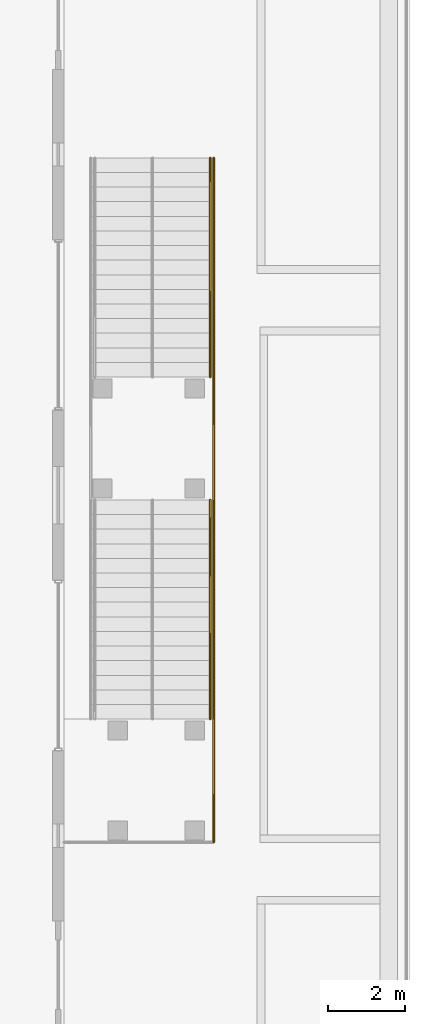
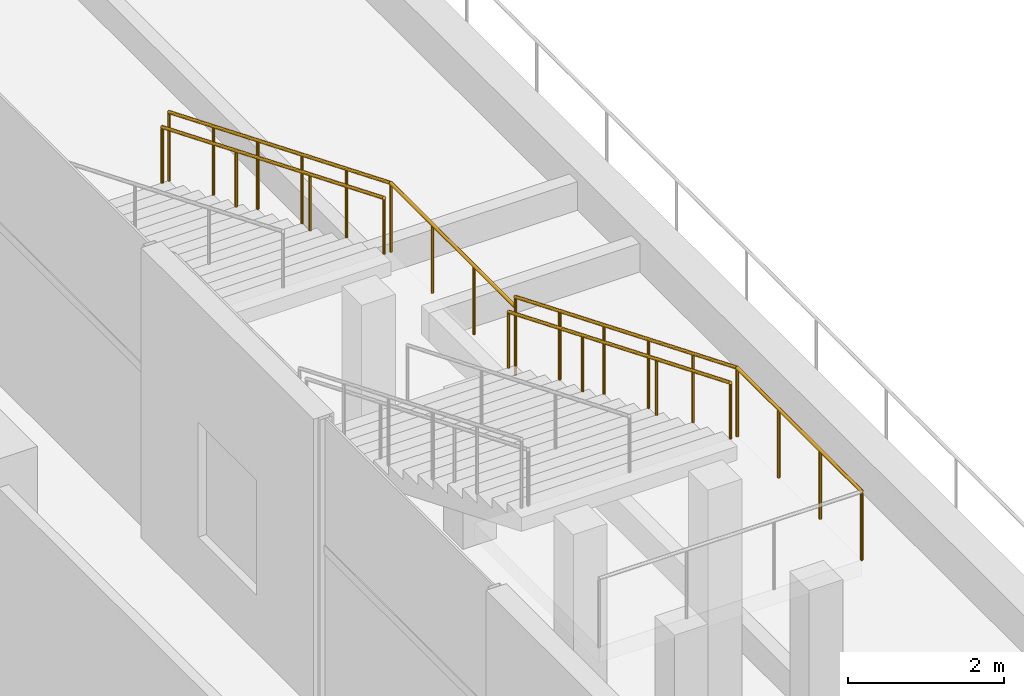
# One storey, part 49 of 49: 6 railings.
"""IFC4 building model written with IfcOpenShell, lengths in metres."""

import ifcopenshell
import ifcopenshell.guid

model = None  # the IFC model being written
_history = None  # IfcOwnerHistory: only IFC2X3 demands one
_inside = {}  # id of a spatial element -> (the spatial element, [elements in it])
_under = {}  # id of a project, library or spatial element -> (it, [spatial elements below it])
_declared = {}  # id of a project -> (the project, [libraries it declares])
_typed = {}  # id of a type object -> (the type object, [elements of that type])
_made_of = {}  # id of a material, layer set ... -> (it, [elements and type objects made of it])


def new_model(schema):
    """Start an empty IFC model of exactly this schema.

    Asked for "IFC4X3", IfcOpenShell would pick the latest addendum, in which some entities
    have other attributes; the version numbers below select the first issue.
    IFC2X3 requires an IfcOwnerHistory on every rooted entity: one is made here for all.
    """
    global model, _history
    if schema == "IFC4X3":
        model = ifcopenshell.file(schema_version=(4, 3, 0, 0))
    else:
        model = ifcopenshell.file(schema=schema)
    _inside.clear()
    _under.clear()
    _declared.clear()
    _typed.clear()
    _made_of.clear()
    _history = None
    if model.schema == "IFC2X3":
        org = make("IfcOrganization", Name="unknown")
        user = make(
            "IfcPersonAndOrganization",
            ThePerson=make("IfcPerson", FamilyName="unknown"),
            TheOrganization=org,
        )
        app = make(
            "IfcApplication",
            ApplicationDeveloper=org,
            Version="unknown",
            ApplicationFullName="unknown",
            ApplicationIdentifier="unknown",
        )
        _history = make(
            "IfcOwnerHistory",
            OwningUser=user,
            OwningApplication=app,
            ChangeAction="ADDED",
            CreationDate=0,
        )
    return model


def make(cls, **values):
    """One entity of the class cls with the attributes given. An attribute that is None is left unset."""
    return model.create_entity(
        cls, **{name: value for name, value in values.items() if value is not None}
    )


def rooted(cls, **values):
    """An entity with a GlobalId (a new one), such as an element, a storey or a relation."""
    return make(cls, GlobalId=ifcopenshell.guid.new(), OwnerHistory=_history, **values)


def si_unit(unit_type, name, prefix=None):
    """IfcSIUnit, for example si_unit("LENGTHUNIT", "METRE", prefix="MILLI")."""
    return make("IfcSIUnit", UnitType=unit_type, Prefix=prefix, Name=name)


def assignment(units):
    """IfcUnitAssignment: the units of a project."""
    return None if units is None else make("IfcUnitAssignment", Units=units)


def point(xyz):
    """IfcCartesianPoint."""
    return None if xyz is None else make("IfcCartesianPoint", Coordinates=xyz)


def direction(xyz):
    """IfcDirection."""
    return None if xyz is None else make("IfcDirection", DirectionRatios=xyz)


def frame(location, z_axis=None, x_axis=None):
    """IfcAxis2Placement3D, a coordinate frame: its origin and axes. An axis left out is left unset."""
    return make(
        "IfcAxis2Placement3D",
        Location=point(location),
        Axis=direction(z_axis),
        RefDirection=direction(x_axis),
    )


def frame_2d(location, x_axis=None):
    """IfcAxis2Placement2D, a coordinate frame in the plane: its origin and x axis."""
    return make(
        "IfcAxis2Placement2D", Location=point(location), RefDirection=direction(x_axis)
    )


def origin():
    """The frame at (0, 0, 0) with its axes left unset."""
    return frame((0.0, 0.0, 0.0))


def origin_2d():
    """The frame at (0, 0) in the plane with its x axis left unset."""
    return frame_2d((0.0, 0.0))


def place(relative_to, where):
    """IfcLocalPlacement: puts the frame where relative to a parent placement (None: the world)."""
    return make(
        "IfcLocalPlacement", PlacementRelTo=relative_to, RelativePlacement=where
    )


def context(
    kind, dimensions, precision=None, world=None, true_north=None, identifier=None
):
    """IfcGeometricRepresentationContext, for example the 3D "Model" context."""
    return make(
        "IfcGeometricRepresentationContext",
        ContextIdentifier=identifier,
        ContextType=kind,
        CoordinateSpaceDimension=dimensions,
        Precision=precision,
        WorldCoordinateSystem=world,
        TrueNorth=true_north,
    )


def subcontext(parent, identifier, kind, view, scale=None):
    """IfcGeometricRepresentationSubContext, for example "Body" below "Model"."""
    return make(
        "IfcGeometricRepresentationSubContext",
        ContextIdentifier=identifier,
        ContextType=kind,
        ParentContext=parent,
        TargetScale=scale,
        TargetView=view,
    )


def project(units=None, contexts=None):
    """IfcProject with its units and contexts."""
    return rooted(
        "IfcProject",
        Name="project",
        RepresentationContexts=contexts,
        UnitsInContext=assignment(units),
    )


def spatial(cls, under=None, at=None, **own):
    """A site, building, storey or space (cls), placed at a placement, below another one or the project."""
    s = rooted(cls, ObjectPlacement=at, **own)
    if under is not None:
        _under.setdefault(under.id(), (under, []))[1].append(s)
    return s


def profile(cls, at=None, kind="AREA", **sizes):
    """A parametric profile (cls). Its sizes go by their IFC names, for example OverallWidth=200.0."""
    return make(cls, ProfileType=kind, Position=at, **sizes)


def circle(**sizes):
    """IfcCircleProfileDef."""
    return profile("IfcCircleProfileDef", **sizes)


def extrude(swept, where, along, depth):
    """IfcExtrudedAreaSolid: the profile swept, set in the frame where, extruded along a direction by depth."""
    return make(
        "IfcExtrudedAreaSolid",
        SweptArea=swept,
        Position=where,
        ExtrudedDirection=direction(along),
        Depth=depth,
    )


def shape(context_of_items, identifier, shape_type, items):
    """IfcShapeRepresentation: the items that make up one representation, for example the "Body"."""
    return make(
        "IfcShapeRepresentation",
        ContextOfItems=context_of_items,
        RepresentationIdentifier=identifier,
        RepresentationType=shape_type,
        Items=items,
    )


def source(mapping_origin, context_of_items, identifier, shape_type, items):
    """IfcRepresentationMap: a shape defined once, which mapped items show again and again."""
    return make(
        "IfcRepresentationMap",
        MappingOrigin=mapping_origin,
        MappedRepresentation=shape(context_of_items, identifier, shape_type, items),
    )


def transform(
    local_origin,
    x_axis=None,
    y_axis=None,
    z_axis=None,
    scale=None,
    scale2=None,
    scale3=None,
    uniform=True,
):
    """IfcCartesianTransformationOperator3D, or its non-uniform kind. x_axis, y_axis, z_axis: its Axis1, 2, 3."""
    if uniform:
        return make(
            "IfcCartesianTransformationOperator3D",
            Axis1=direction(x_axis),
            Axis2=direction(y_axis),
            LocalOrigin=point(local_origin),
            Scale=scale,
            Axis3=direction(z_axis),
        )
    return make(
        "IfcCartesianTransformationOperator3DnonUniform",
        Axis1=direction(x_axis),
        Axis2=direction(y_axis),
        LocalOrigin=point(local_origin),
        Scale=scale,
        Axis3=direction(z_axis),
        Scale2=scale2,
        Scale3=scale3,
    )


def mapped(mapping_source, mapping_target):
    """IfcMappedItem: shows the shape of a source again, moved by a transform."""
    return make(
        "IfcMappedItem", MappingSource=mapping_source, MappingTarget=mapping_target
    )


def material(Name=None, Category=None):
    """IfcMaterial."""
    return make("IfcMaterial", Name=Name, Category=Category)


def made_of(thing, what):
    """Note that an element or type object is made of a material, layer set ...; save() writes the relation."""
    if what is not None:
        _made_of.setdefault(what.id(), (what, []))[1].append(thing)
    return thing


def type_object(cls, material=None, **own):
    """A type object (cls), such as IfcWallType, which elements share."""
    return made_of(rooted(cls, **own), material)


def element(
    cls,
    number,
    at=None,
    inside=None,
    cuts=None,
    type_object=None,
    material=None,
    context=None,
    identifier="Body",
    shape_type=None,
    held_by="IfcProductDefinitionShape",
    body=None,
    shapes=None,
    **own,
):
    """One element of the class cls, such as IfcWall. Its Tag is "e" and its number.

    at: its placement. inside: the storey or other place that contains it. cuts: it is an
    opening in that element (IfcRelVoidsElement). A single representation is given by context,
    identifier, shape_type and body (its items); several are given by shapes. held_by: the class
    of the entity that holds the representations. save() writes the other relations.
    """
    e = rooted(cls, Tag="e%d" % number, ObjectPlacement=at, **own)
    if body is not None:
        shapes = [shape(context, identifier, shape_type, body)]
    if shapes is not None:
        e.Representation = make(held_by, Representations=shapes)
    if inside is not None:
        _inside.setdefault(inside.id(), (inside, []))[1].append(e)
    if cuts is not None:
        rooted(
            "IfcRelVoidsElement", RelatingBuildingElement=cuts, RelatedOpeningElement=e
        )
    if type_object is not None:
        _typed.setdefault(type_object.id(), (type_object, []))[1].append(e)
    return made_of(e, material)


def aggregate(whole, parts):
    """IfcRelAggregates: a whole, such as a stair, and the parts it consists of."""
    return rooted("IfcRelAggregates", RelatingObject=whole, RelatedObjects=parts)


def save(model, path):
    """Write the relations noted so far, then the file.

    IfcRelAggregates (storeys below a building ...), IfcRelContainedInSpatialStructure (elements
    in a storey), IfcRelDefinesByType, IfcRelAssociatesMaterial and IfcRelDeclares: one each for
    every whole, place, type object, material and project.
    """
    for whole, parts in _under.values():
        aggregate(whole, parts)
    for where, things in _inside.values():
        rooted(
            "IfcRelContainedInSpatialStructure",
            RelatedElements=things,
            RelatingStructure=where,
        )
    for kind, things in _typed.values():
        rooted("IfcRelDefinesByType", RelatedObjects=things, RelatingType=kind)
    for what, things in _made_of.values():
        rooted("IfcRelAssociatesMaterial", RelatedObjects=things, RelatingMaterial=what)
    for by, libraries in _declared.values():
        rooted("IfcRelDeclares", RelatingContext=by, RelatedDefinitions=libraries)
    model.write(path)


model = new_model("IFC4")

# Units and contexts
model_context = context("Model", 3, precision=1e-05, world=origin(), true_north=direction((0.0, 1.0)))
body_context = subcontext(model_context, "Body", "Model", "MODEL_VIEW")
ifc_project = project(units=[si_unit("LENGTHUNIT", "METRE"), si_unit("AREAUNIT", "SQUARE_METRE"), si_unit("VOLUMEUNIT", "CUBIC_METRE"), si_unit("PLANEANGLEUNIT", "RADIAN"), si_unit("MASSUNIT", "GRAM", prefix="KILO")], contexts=[model_context])

# Site, building, storey
site_placement = place(None, origin())
site = spatial("IfcSite", under=ifc_project, at=site_placement, CompositionType="ELEMENT")
building_placement = place(site_placement, origin())
building = spatial("IfcBuilding", under=site, at=building_placement, Name="Altepetl Exchange Towers", CompositionType="ELEMENT")
storey_placement = place(building_placement, frame((0.0, 0.0, 11.5)))
storey = spatial("IfcBuildingStorey", under=building, at=storey_placement, Name="L02 Exchange podium", CompositionType="ELEMENT", Elevation=11.5)

# Railings
ifc_material_1 = material(Name="Laminated glass and steel", Category="steel")
railing_type_1 = type_object("IfcRailingType", Name="Hall gallery guard 1100", PredefinedType="GUARDRAIL", material=ifc_material_1)
shared_shape_1 = source(origin(), body_context, "Body", "SweptSolid", [
    extrude(circle(Radius=0.02001953125, at=origin_2d()), origin(), (0.0, 0.0, 1.0), 1.050048828125),
])
for number, where, name in (
    (1, (138.89990234375, 36.89990234375, 2.65625), "rail:P:L02:R6flightA"),
    (2, (138.89990234375, 45.800048828125, 0.15625), "rail:P:L02:R6flightB"),
):
    element("IfcRailing", number, at=place(storey_placement, frame(where)), inside=storey, type_object=railing_type_1, Name=name, PredefinedType="GUARDRAIL", context=body_context, shape_type="SweptSolid", body=[
        extrude(circle(Radius=0.02490234375, at=origin_2d()), frame((0.0, 0.0, 1.0751953125), z_axis=(0.0, -0.924865858958, 0.380293495781), x_axis=(1.0, 0.0, 0.0)), (0.0, 0.0, 1.0), 6.1630859375),
        mapped(shared_shape_1, transform((0.0, 0.0, 0.0))),
        mapped(shared_shape_1, transform((0.0, -1.139892578125, 0.46875))),
        mapped(shared_shape_1, transform((0.0, -2.280029296875, 0.9375))),
        mapped(shared_shape_1, transform((0.0, -3.419921875, 1.40625))),
        mapped(shared_shape_1, transform((0.0, -4.56005859375, 1.875))),
        mapped(shared_shape_1, transform((0.0, -5.699951171875, 2.34375))),
    ])
railing_1_placement = place(storey_placement, frame((138.89990234375, 36.89990234375, 2.5)))
element("IfcRailing", 3, at=railing_1_placement, inside=storey, type_object=railing_type_1, Name="rail:P:L02:R6mid", PredefinedType="GUARDRAIL", context=body_context, shape_type="SweptSolid", body=[
    extrude(circle(Radius=0.02490234375, at=origin_2d()), frame((0.0, 0.0, 1.0751953125), z_axis=(0.0, 1.0, 0.0), x_axis=(-1.0, 0.0, 0.0)), (0.0, 0.0, 1.0), 3.2001953125),
    mapped(shared_shape_1, transform((0.0, 0.0, 0.0))),
    mapped(shared_shape_1, transform((0.0, 1.066650390625, 0.0))),
    mapped(shared_shape_1, transform((0.0, 2.133544921875, 0.0))),
    mapped(shared_shape_1, transform((0.0, 3.2001953125, 0.0))),
])
railing_2_placement = place(storey_placement, frame((138.89990234375, 28.0, 5.0)))
element("IfcRailing", 4, at=railing_2_placement, inside=storey, type_object=railing_type_1, Name="rail:P:L02:R6platform_out", PredefinedType="GUARDRAIL", context=body_context, shape_type="SweptSolid", body=[
    extrude(circle(Radius=0.02490234375, at=origin_2d()), frame((0.0, 0.0, 1.0751953125), z_axis=(0.0, 1.0, 0.0), x_axis=(-1.0, 0.0, 0.0)), (0.0, 0.0, 1.0), 3.199951171875),
    mapped(shared_shape_1, transform((0.0, 0.0, 0.0))),
    mapped(shared_shape_1, transform((0.0, 1.066650390625, 0.0))),
    mapped(shared_shape_1, transform((0.0, 2.13330078125, 0.0))),
    mapped(shared_shape_1, transform((0.0, 3.199951171875, 0.0))),
])
ifc_material_2 = material(Name="Stainless steel", Category="steel")
railing_type_2 = type_object("IfcRailingType", Name="Stair handrail 900", PredefinedType="HANDRAIL", material=ifc_material_2)
shared_shape_2 = source(origin(), body_context, "Body", "SweptSolid", [
    extrude(circle(Radius=0.02001953125, at=origin_2d()), origin(), (0.0, 0.0, 1.0), 0.849853515625),
])
for number, where, name in (
    (5, (138.800048828125, 36.89990234375, 2.65625), "rail:P:L02:R6hA_out"),
    (6, (138.800048828125, 45.800048828125, 0.15625), "rail:P:L02:R6hB_out"),
):
    element("IfcRailing", number, at=place(storey_placement, frame(where)), inside=storey, type_object=railing_type_2, Name=name, PredefinedType="HANDRAIL", context=body_context, shape_type="SweptSolid", body=[
        extrude(circle(Radius=0.02490234375, at=origin_2d()), frame((0.0, 0.0, 0.875), z_axis=(0.0, -0.924865858958, 0.380293495781), x_axis=(1.0, 0.0, 0.0)), (0.0, 0.0, 1.0), 6.1630859375),
        mapped(shared_shape_2, transform((0.0, 0.0, 0.0))),
        mapped(shared_shape_2, transform((0.0, -1.89990234375, 0.78125))),
        mapped(shared_shape_2, transform((0.0, -3.800048828125, 1.5625))),
        mapped(shared_shape_2, transform((0.0, -5.699951171875, 2.34375))),
    ])

save(model, "model.ifc")
